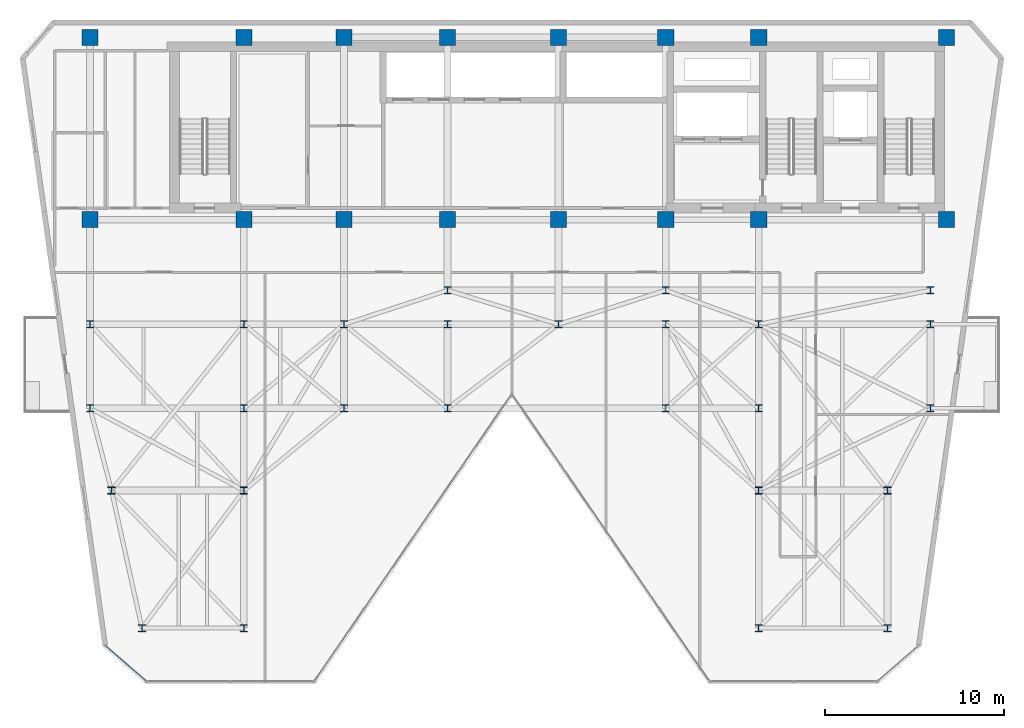
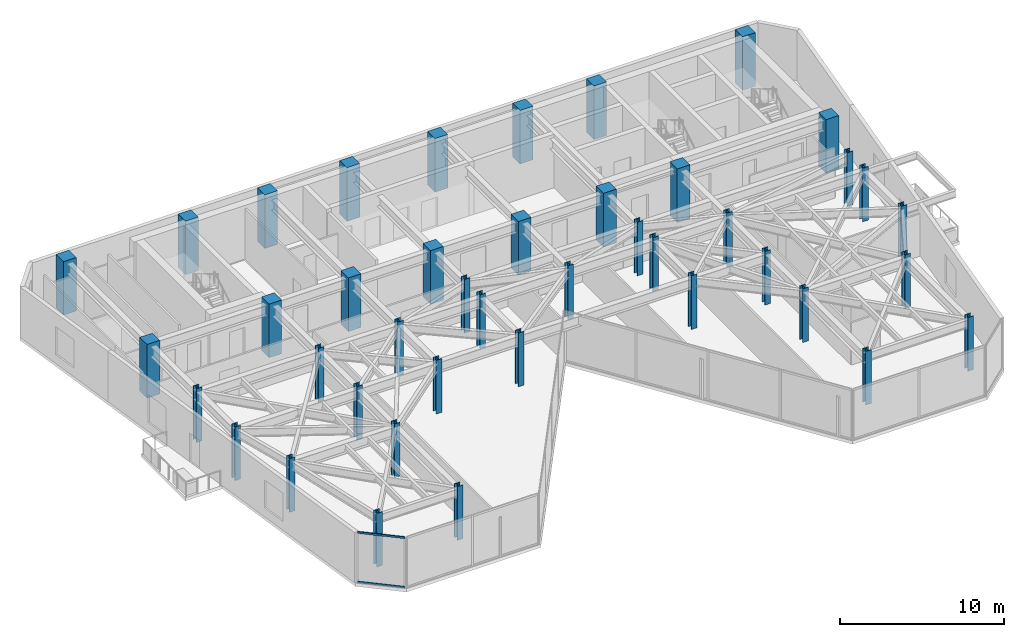
# One storey, part 1 of 21: 42 columns, 2 members, 1 element without a shape of its own.
"""IFC4 building model written with IfcOpenShell, lengths in metres."""

from ifc_helpers import new_model, si_unit, direction, frame, origin, origin_2d, place, context, subcontext, project, spatial, rectangle, hollow_rectangle, i_section, extrude, material, layer, layer_set, material_profile, profile_set, type_object, element, aggregate, save


model = new_model("IFC4")

# Units and contexts
model_context = context("Model", 3, precision=1e-05, world=origin(), true_north=direction((0.0, 1.0)))
body_context = subcontext(model_context, "Body", "Model", "MODEL_VIEW")
ifc_project = project(units=[si_unit("LENGTHUNIT", "METRE"), si_unit("AREAUNIT", "SQUARE_METRE"), si_unit("VOLUMEUNIT", "CUBIC_METRE"), si_unit("PLANEANGLEUNIT", "RADIAN"), si_unit("MASSUNIT", "GRAM", prefix="KILO")], contexts=[model_context])

# Site, building, storey
site_placement = place(None, origin())
site = spatial("IfcSite", under=ifc_project, at=site_placement, CompositionType="ELEMENT")
building_placement = place(site_placement, origin())
building = spatial("IfcBuilding", under=site, at=building_placement, Name="Kravanh Interchange Tower", CompositionType="ELEMENT")
storey_placement = place(building_placement, frame((0.0, 0.0, 200.5)))
storey = spatial("IfcBuildingStorey", under=building, at=storey_placement, Name="L48", CompositionType="ELEMENT", Elevation=200.5)

# Columns
ifc_material_1 = material(Name="Concrete C60/75", Category="concrete")
ifc_material_profile_1 = material_profile(ifc_material_1, rectangle(XDim=0.89990234375, YDim=0.89990234375, at=origin_2d()), Name="RC900X900")
ifc_profile_set_1 = profile_set([ifc_material_profile_1], Name="Concrete C60/75")
column_type_1 = type_object("IfcColumnType", Name="Column RC900X900 Concrete C60/75", PredefinedType="COLUMN", material=ifc_profile_set_1)
for number, where, z_axis, x_axis, name in (
    (1, (66.5, 47.550048828125, 0.0), (0.0, 0.0, 1.0), (1.0, 0.0, 0.0), "L48 Column CS01"),
    (2, (56.0, 47.550048828125, 0.0), (0.0, 0.0, 1.0), (1.0, 0.0, 0.0), "L48 Column CS02"),
    (3, (66.5, 37.35009765625, 0.0), (0.0, 0.0, 1.0), (1.0, 0.0, 0.0), "L48 Column CS03"),
    (4, (56.0, 37.35009765625, 0.0), (0.0, 0.0, 1.0), (1.0, 0.0, 0.0), "L48 Column CS04"),
    (5, (50.800048828125, 47.550048828125, 0.0), (0.0, 0.0, 1.0), (1.0, 0.0, 0.0), "L48 Column CS05"),
    (6, (50.800048828125, 37.35009765625, 0.0), (0.0, 0.0, 1.0), (1.0, 0.0, 0.0), "L48 Column CS06"),
    (7, (44.800048828125, 37.35009765625, 0.0), (0.0, 0.0, 1.0), (1.0, 0.0, 0.0), "L48 Column CS07"),
    (8, (44.800048828125, 47.550048828125, 0.0), (0.0, 0.0, 1.0), (1.0, 0.0, 0.0), "L48 Column CS08"),
    (9, (38.60009765625, 37.35009765625, 0.0), (0.0, 0.0, 1.0), (1.0, 0.0, 0.0), "L48 Column CS09"),
    (10, (38.60009765625, 47.550048828125, 0.0), (0.0, 0.0, 1.0), (1.0, 0.0, 0.0), "L48 Column CS10"),
    (11, (32.800048828125, 37.35009765625, 0.0), (0.0, 0.0, 1.0), (1.0, 0.0, 0.0), "L48 Column CS11"),
    (12, (32.800048828125, 47.550048828125, 0.0), (0.0, 0.0, 1.0), (1.0, 0.0, 0.0), "L48 Column CS12"),
    (13, (27.199951171875, 37.35009765625, 0.0), (0.0, 0.0, 1.0), (1.0, 0.0, 0.0), "L48 Column CS13"),
    (14, (27.199951171875, 47.550048828125, 0.0), (0.0, 0.0, 1.0), (1.0, 0.0, 0.0), "L48 Column CS14"),
    (15, (18.60009765625, 37.35009765625, 0.0), (0.0, 0.0, 1.0), (1.0, 0.0, 0.0), "L48 Column CS17"),
    (16, (18.60009765625, 47.550048828125, 0.0), (0.0, 0.0, 1.0), (1.0, 0.0, 0.0), "L48 Column CS18"),
):
    element("IfcColumn", number, at=place(storey_placement, frame(where, z_axis=z_axis, x_axis=x_axis)), inside=storey, type_object=column_type_1, Name=name, PredefinedType="COLUMN", context=body_context, shape_type="SweptSolid", body=[
        extrude(rectangle(XDim=0.89990234375, YDim=0.89990234375, at=origin_2d()), origin(), (0.0, 0.0, 1.0), 4.0),
    ])
ifc_material_2 = material(Name="Structural Steel S355", Category="steel")
ifc_material_profile_2 = material_profile(ifc_material_2, i_section(OverallWidth=0.40087890625, OverallDepth=0.39892578125, WebThickness=0.02490234375, FlangeThickness=0.03955078125, FilletRadius=0.030029296875, at=origin_2d()), Name="W14X211")
ifc_profile_set_2 = profile_set([ifc_material_profile_2], Name="Structural Steel S355")
column_type_2 = type_object("IfcColumnType", Name="Column W14X211 Structural Steel S355", PredefinedType="COLUMN", material=ifc_profile_set_2)
for number, where, z_axis, x_axis, name in (
    (17, (21.5, 14.5, 0.0), (0.0, 0.0, 1.0), (1.0, 0.0, 0.0), "L48 Column CZ3_1"),
    (18, (18.60009765625, 26.800048828125, 0.0), (0.0, 0.0, 1.0), (1.0, 0.0, 0.0), "L48 Column CZ3_11"),
    (19, (27.199951171875, 26.800048828125, 0.0), (0.0, 0.0, 1.0), (1.0, 0.0, 0.0), "L48 Column CZ3_12"),
    (20, (32.800048828125, 26.800048828125, 0.0), (0.0, 0.0, 1.0), (1.0, 0.0, 0.0), "L48 Column CZ3_13"),
    (21, (38.60009765625, 26.800048828125, 0.0), (0.0, 0.0, 1.0), (1.0, 0.0, 0.0), "L48 Column CZ3_13B"),
    (22, (50.800048828125, 26.800048828125, 0.0), (0.0, 0.0, 1.0), (1.0, 0.0, 0.0), "L48 Column CZ3_14"),
    (23, (56.0, 26.800048828125, 0.0), (0.0, 0.0, 1.0), (1.0, 0.0, 0.0), "L48 Column CZ3_15"),
    (24, (65.60009765625, 26.800048828125, 0.0), (0.0, 0.0, 1.0), (1.0, 0.0, 0.0), "L48 Column CZ3_16"),
    (25, (18.60009765625, 31.5, 0.0), (0.0, 0.0, 1.0), (1.0, 0.0, 0.0), "L48 Column CZ3_17"),
    (26, (27.199951171875, 31.5, 0.0), (0.0, 0.0, 1.0), (1.0, 0.0, 0.0), "L48 Column CZ3_18"),
    (27, (32.800048828125, 31.5, 0.0), (0.0, 0.0, 1.0), (1.0, 0.0, 0.0), "L48 Column CZ3_19"),
    (28, (27.199951171875, 14.5, 0.0), (0.0, 0.0, 1.0), (1.0, 0.0, 0.0), "L48 Column CZ3_2"),
    (29, (38.60009765625, 31.5, 0.0), (0.0, 0.0, 1.0), (1.0, 0.0, 0.0), "L48 Column CZ3_20"),
    (30, (44.800048828125, 31.5, 0.0), (0.0, 0.0, 1.0), (1.0, 0.0, 0.0), "L48 Column CZ3_21"),
    (31, (50.800048828125, 31.5, 0.0), (0.0, 0.0, 1.0), (1.0, 0.0, 0.0), "L48 Column CZ3_22"),
    (32, (56.0, 31.5, 0.0), (0.0, 0.0, 1.0), (1.0, 0.0, 0.0), "L48 Column CZ3_23"),
    (33, (65.60009765625, 31.5, 0.0), (0.0, 0.0, 1.0), (1.0, 0.0, 0.0), "L48 Column CZ3_24"),
    (34, (56.0, 14.5, 0.0), (0.0, 0.0, 1.0), (1.0, 0.0, 0.0), "L48 Column CZ3_3"),
    (35, (63.199951171875, 14.5, 0.0), (0.0, 0.0, 1.0), (1.0, 0.0, 0.0), "L48 Column CZ3_4"),
    (36, (19.800048828125, 22.199951171875, 0.0), (0.0, 0.0, 1.0), (1.0, 0.0, 0.0), "L48 Column CZ3_5"),
    (37, (27.199951171875, 22.199951171875, 0.0), (0.0, 0.0, 1.0), (1.0, 0.0, 0.0), "L48 Column CZ3_6"),
    (38, (56.0, 22.199951171875, 0.0), (0.0, 0.0, 1.0), (1.0, 0.0, 0.0), "L48 Column CZ3_8"),
    (39, (63.199951171875, 22.199951171875, 0.0), (0.0, 0.0, 1.0), (1.0, 0.0, 0.0), "L48 Column CZ3_9"),
    (40, (38.60009765625, 33.39990234375, 0.0), (0.0, 0.0, 1.0), (1.0, 0.0, 0.0), "L48 Column CZ3_M1"),
    (41, (50.800048828125, 33.39990234375, 0.0), (0.0, 0.0, 1.0), (1.0, 0.0, 0.0), "L48 Column CZ3_M2"),
    (42, (65.60009765625, 33.39990234375, 0.0), (0.0, 0.0, 1.0), (1.0, 0.0, 0.0), "L48 Column CZ3_M3"),
):
    element("IfcColumn", number, at=place(storey_placement, frame(where, z_axis=z_axis, x_axis=x_axis)), inside=storey, type_object=column_type_2, Name=name, PredefinedType="COLUMN", context=body_context, shape_type="SweptSolid", body=[
        extrude(i_section(OverallWidth=0.40087890625, OverallDepth=0.39892578125, WebThickness=0.02490234375, FlangeThickness=0.03955078125, FilletRadius=0.030029296875, at=origin_2d()), origin(), (0.0, 0.0, 1.0), 4.0),
    ])

# Curtain wall, members
ifc_material_3 = material(Name="Anodised Bronze Aluminium", Category="aluminium")
ifc_layer = layer(ifc_material_3, 0.179931640625)
ifc_layer_set = layer_set([ifc_layer], Name="Unitised Curtain Wall System CW-Z3 Upper Office")
curtain_wall_type = type_object("IfcCurtainWallType", Name="Unitised Curtain Wall System CW-Z3 Upper Office", PredefinedType="NOTDEFINED", material=ifc_layer_set)
curtain_wall_placement = place(storey_placement, origin())
curtain_wall = element("IfcCurtainWall", 43, at=curtain_wall_placement, inside=storey, type_object=curtain_wall_type, Name="L48 Unitised Curtain Wall CW-L48-06", PredefinedType="NOTDEFINED")
ifc_material_4 = material(Name="Anodised Bronze Aluminium", Category="aluminium")
ifc_material_profile_3 = material_profile(ifc_material_4, hollow_rectangle(XDim=0.06005859375, YDim=0.139892578125, WallThickness=0.00390625, at=origin_2d()), Name="ALU60X140X4")
ifc_profile_set_3 = profile_set([ifc_material_profile_3], Name="Anodised Bronze Aluminium")
member_type = type_object("IfcMemberType", Name="Curtain Wall Transom ALU60X140X4 Bronze", PredefinedType="USERDEFINED", material=ifc_profile_set_3)
member_1_placement = place(storey_placement, frame((21.713623046875, 11.559326171875, 0.030029296875), z_axis=(-0.754708504141, 0.656060266879, 0.0), x_axis=(-0.656060266879, -0.754708504141, 0.0)))
member_1 = element("IfcMember", 44, at=member_1_placement, type_object=member_type, Name="CW-Z3 transom 1.1", ObjectType="TRANSOM", PredefinedType="USERDEFINED", context=body_context, shape_type="SweptSolid", body=[
    extrude(hollow_rectangle(XDim=0.06005859375, YDim=0.139892578125, WallThickness=0.00390625, at=origin_2d()), origin(), (0.0, 0.0, 1.0), 2.9599609375),
])
member_2_placement = place(storey_placement, frame((21.713623046875, 11.559326171875, 3.72509765625), z_axis=(-0.754708504141, 0.656060266879, 0.0), x_axis=(-0.656060266879, -0.754708504141, 0.0)))
member_2 = element("IfcMember", 45, at=member_2_placement, type_object=member_type, Name="CW-Z3 transom 1.2", ObjectType="TRANSOM", PredefinedType="USERDEFINED", context=body_context, shape_type="SweptSolid", body=[
    extrude(hollow_rectangle(XDim=0.06005859375, YDim=0.139892578125, WallThickness=0.00390625, at=origin_2d()), origin(), (0.0, 0.0, 1.0), 2.9599609375),
])
aggregate(curtain_wall, [member_1, member_2])

save(model, "model.ifc")
